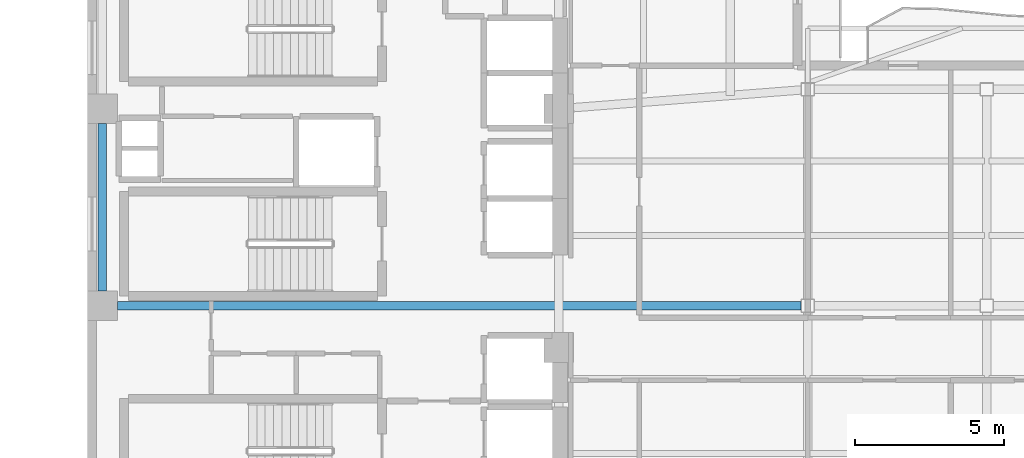
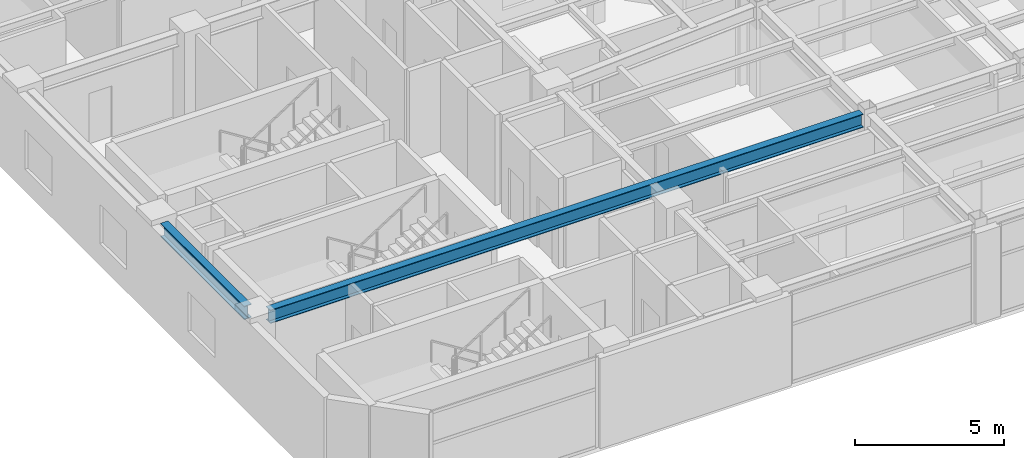
# One storey, part 3 of 15: 2 beams.
"""IFC4 building model written with IfcOpenShell, lengths in metres."""

from ifc_helpers import new_model, si_unit, direction, frame, origin, origin_2d, place, context, subcontext, project, spatial, i_section, extrude, material, material_profile, profile_set, type_object, element, save


model = new_model("IFC4")

# Units and contexts
model_context = context("Model", 3, precision=1e-05, world=origin(), true_north=direction((0.0, 1.0)))
body_context = subcontext(model_context, "Body", "Model", "MODEL_VIEW")
ifc_project = project(units=[si_unit("LENGTHUNIT", "METRE"), si_unit("AREAUNIT", "SQUARE_METRE"), si_unit("VOLUMEUNIT", "CUBIC_METRE"), si_unit("PLANEANGLEUNIT", "RADIAN"), si_unit("MASSUNIT", "GRAM", prefix="KILO")], contexts=[model_context])

# Site, building, storey
site_placement = place(None, origin())
site = spatial("IfcSite", under=ifc_project, at=site_placement, CompositionType="ELEMENT")
building_placement = place(site_placement, origin())
building = spatial("IfcBuilding", under=site, at=building_placement, Name="Mawjaban Terraces University", CompositionType="ELEMENT")
storey_placement = place(building_placement, frame((0.0, 0.0, 207.0)))
storey = spatial("IfcBuildingStorey", under=building, at=storey_placement, Name="L50", CompositionType="ELEMENT", Elevation=207.0)

# Beams
ifc_material = material(Name="Steel ASTM A572 Grade 50", Category="steel")
ifc_material_profile = material_profile(ifc_material, i_section(OverallWidth=0.281005859375, OverallDepth=0.551025390625, WebThickness=0.01513671875, FlangeThickness=0.02587890625, at=origin_2d()), Name="W530X182")
ifc_profile_set = profile_set([ifc_material_profile], Name="Steel ASTM A572 Grade 50")
beam_type = type_object("IfcBeamType", Name="Beam_B_W530X182", PredefinedType="BEAM", material=ifc_profile_set)
beam_1_placement = place(storey_placement, frame((22.85009765625, 7.949951171875, 3.4150390625), z_axis=(1.0, 0.0, 0.0), x_axis=(0.0, 1.0, 0.0)))
element("IfcBeam", 1, at=beam_1_placement, inside=storey, type_object=beam_type, Name="L50 Beam BM-L50-EW-04", PredefinedType="BEAM", context=body_context, shape_type="SweptSolid", body=[
    extrude(i_section(OverallWidth=0.281005859375, OverallDepth=0.551025390625, WebThickness=0.01513671875, FlangeThickness=0.02587890625, at=origin_2d()), origin(), (0.0, 0.0, 1.0), 22.9248046875),
])
beam_2_placement = place(storey_placement, frame((22.35009765625, 8.449951171875, 3.4150390625), z_axis=(0.0, 1.0, 0.0), x_axis=(-1.0, 0.0, 0.0)))
element("IfcBeam", 2, at=beam_2_placement, inside=storey, type_object=beam_type, Name="L50 Beam BM-L50-NS-01", PredefinedType="BEAM", context=body_context, shape_type="SweptSolid", body=[
    extrude(i_section(OverallWidth=0.281005859375, OverallDepth=0.551025390625, WebThickness=0.01513671875, FlangeThickness=0.02587890625, at=origin_2d()), origin(), (0.0, 0.0, 1.0), 5.60009765625),
])

save(model, "model.ifc")
